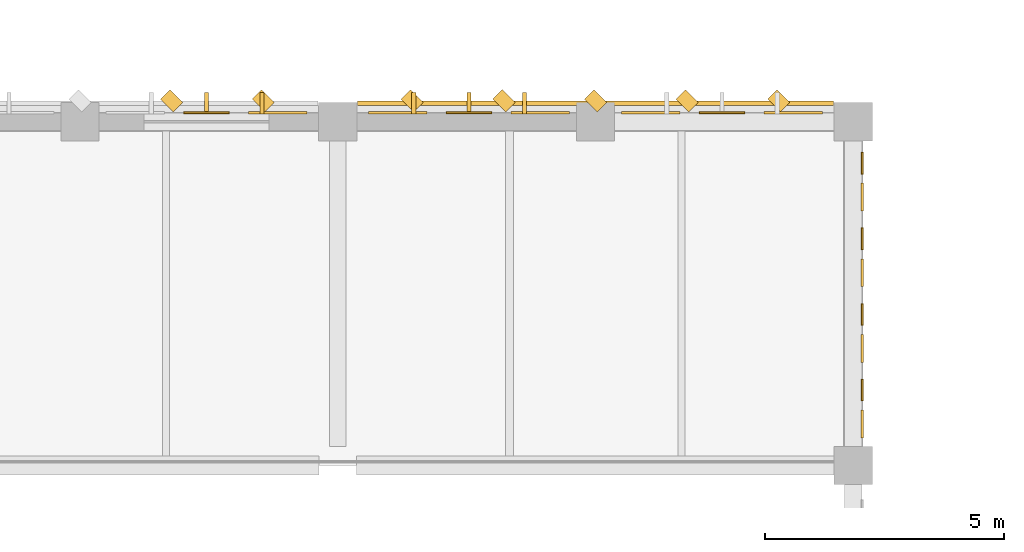
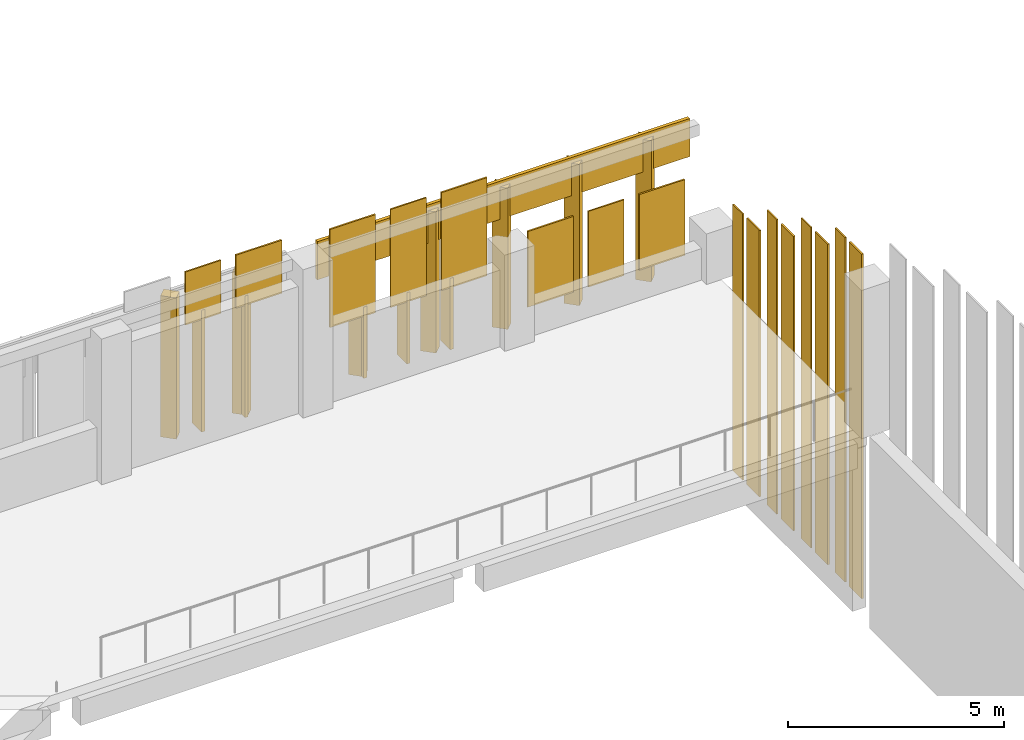
# One storey, part 147 of 158: 29 coverings.
"""IFC4 building model written with IfcOpenShell, lengths in metres."""

from ifc_helpers import new_model, si_unit, direction, frame, origin, origin_2d, place, context, subcontext, project, spatial, rectangle, extrude, material, layer, layer_set, type_object, element, save


model = new_model("IFC4")

# Units and contexts
model_context = context("Model", 3, precision=1e-05, world=origin(), true_north=direction((0.0, 1.0)))
body_context = subcontext(model_context, "Body", "Model", "MODEL_VIEW")
ifc_project = project(units=[si_unit("LENGTHUNIT", "METRE"), si_unit("AREAUNIT", "SQUARE_METRE"), si_unit("VOLUMEUNIT", "CUBIC_METRE"), si_unit("PLANEANGLEUNIT", "RADIAN"), si_unit("MASSUNIT", "GRAM", prefix="KILO")], contexts=[model_context])

# Site, building, storey
site_placement = place(None, origin())
site = spatial("IfcSite", under=ifc_project, at=site_placement, CompositionType="ELEMENT")
building_placement = place(site_placement, origin())
building = spatial("IfcBuilding", under=site, at=building_placement, Name="Lusvemor Sports Hall", CompositionType="ELEMENT")
storey_placement = place(building_placement, frame((0.0, 0.0, 10.800048828125)))
storey = spatial("IfcBuildingStorey", under=building, at=storey_placement, Name="L02", CompositionType="ELEMENT", Elevation=10.800048828125)

# Coverings
ifc_material_1 = material(Name="Emerald polychrome glazed ceramic cladding on Concrete C40/50 backing", Category="concrete")
ifc_layer_1 = layer(ifc_material_1, 0.0458984375)
ifc_layer_set_1 = layer_set([ifc_layer_1], Name="Emerald polychrome glazed ceramic cladding on Concrete C40/50 backing")
covering_type_1 = type_object("IfcCoveringType", Name="CLAD_WAVE_EMERALD", PredefinedType="CLADDING", material=ifc_layer_set_1)
covering_1_placement = place(storey_placement, frame((63.543212890625, 46.990478515625, 3.27685546875), z_axis=(0.0, 0.0, 1.0), x_axis=(1.0, 0.0, 0.0)))
element("IfcCovering", 1, at=covering_1_placement, inside=storey, type_object=covering_type_1, Name="Art Nouveau Patterned Cladding PS-WAVEN-5-2-3", PredefinedType="CLADDING", context=body_context, shape_type="SweptSolid", body=[
    extrude(rectangle(XDim=1.224609375, YDim=0.0458984375, at=origin_2d()), origin(), (0.0, 0.0, 1.0), 1.507080078125),
])
for number, where, z_axis, x_axis, name in (
    (2, (66.056640625, 46.990478515625, 1.85009765625), (0.0, 0.0, 1.0), (1.0, 0.0, 0.0), "Art Nouveau Patterned Cladding PS-WAVEN-6-1-1"),
    (3, (69.043212890625, 46.990478515625, 1.85009765625), (0.0, 0.0, 1.0), (1.0, 0.0, 0.0), "Art Nouveau Patterned Cladding PS-WAVEN-6-1-3"),
):
    element("IfcCovering", number, at=place(storey_placement, frame(where, z_axis=z_axis, x_axis=x_axis)), inside=storey, type_object=covering_type_1, Name=name, PredefinedType="CLADDING", context=body_context, shape_type="SweptSolid", body=[
        extrude(rectangle(XDim=1.224609375, YDim=0.0458984375, at=origin_2d()), origin(), (0.0, 0.0, 1.0), 2.77978515625),
    ])
for number, where, z_axis, x_axis, name in (
    (4, (71.356689453125, 46.990478515625, 0.57177734375), (0.0, 0.0, 1.0), (1.0, 0.0, 0.0), "Art Nouveau Patterned Cladding PS-WAVEN-6-2-1"),
    (5, (74.34326171875, 46.990478515625, 0.57177734375), (0.0, 0.0, 1.0), (1.0, 0.0, 0.0), "Art Nouveau Patterned Cladding PS-WAVEN-6-2-3"),
):
    element("IfcCovering", number, at=place(storey_placement, frame(where, z_axis=z_axis, x_axis=x_axis)), inside=storey, type_object=covering_type_1, Name=name, PredefinedType="CLADDING", context=body_context, shape_type="SweptSolid", body=[
        extrude(rectangle(XDim=1.224609375, YDim=0.0458984375, at=origin_2d()), origin(), (0.0, 0.0, 1.0), 2.14697265625),
    ])
covering_2_placement = place(storey_placement, frame((75.79052734375, 40.46630859375, -5.3203125), z_axis=(0.0, 0.0, 1.0), x_axis=(1.0, 0.0, 0.0)))
element("IfcCovering", 6, at=covering_2_placement, inside=storey, type_object=covering_type_1, Name="Art Nouveau Patterned Cladding PS-V1ETY-5-0-1", PredefinedType="CLADDING", context=body_context, shape_type="SweptSolid", body=[
    extrude(rectangle(XDim=0.0458984375, YDim=0.584228515625, at=origin_2d()), origin(), (0.0, 0.0, 1.0), 9.755615234375),
])
covering_3_placement = place(storey_placement, frame((75.79052734375, 42.05126953125, -5.31982421875), z_axis=(0.0, 0.0, 1.0), x_axis=(1.0, 0.0, 0.0)))
element("IfcCovering", 7, at=covering_3_placement, inside=storey, type_object=covering_type_1, Name="Art Nouveau Patterned Cladding PS-V1ETY-5-1-1", PredefinedType="CLADDING", context=body_context, shape_type="SweptSolid", body=[
    extrude(rectangle(XDim=0.0458984375, YDim=0.584228515625, at=origin_2d()), origin(), (0.0, 0.0, 1.0), 9.077392578125),
])
covering_4_placement = place(storey_placement, frame((75.79052734375, 43.63623046875, -5.320068359375), z_axis=(0.0, 0.0, 1.0), x_axis=(1.0, 0.0, 0.0)))
element("IfcCovering", 8, at=covering_4_placement, inside=storey, type_object=covering_type_1, Name="Art Nouveau Patterned Cladding PS-V1ETY-5-2-1", PredefinedType="CLADDING", context=body_context, shape_type="SweptSolid", body=[
    extrude(rectangle(XDim=0.0458984375, YDim=0.584228515625, at=origin_2d()), origin(), (0.0, 0.0, 1.0), 8.34033203125),
])
covering_5_placement = place(storey_placement, frame((75.79052734375, 45.22119140625, -5.31982421875), z_axis=(0.0, 0.0, 1.0), x_axis=(1.0, 0.0, 0.0)))
element("IfcCovering", 9, at=covering_5_placement, inside=storey, type_object=covering_type_1, Name="Art Nouveau Patterned Cladding PS-V1ETY-5-3-1", PredefinedType="CLADDING", context=body_context, shape_type="SweptSolid", body=[
    extrude(rectangle(XDim=0.0458984375, YDim=0.584228515625, at=origin_2d()), origin(), (0.0, 0.0, 1.0), 7.544189453125),
])
for number, where, z_axis, x_axis, name in (
    (10, (61.320068359375, 47.239990234375, 0.099853515625), (0.0, 0.0, 1.0), (0.707106781187, 0.707106781187, 0.0), "Patterned Diamond Cladding Rib 1548"),
    (11, (68.280029296875, 47.239990234375, 0.099853515625), (0.0, 0.0, 1.0), (0.707106781187, 0.707106781187, 0.0), "Patterned Diamond Cladding Rib 1564"),
    (12, (72.1201171875, 47.239990234375, 0.099853515625), (0.0, 0.0, 1.0), (0.707106781187, 0.707106781187, 0.0), "Patterned Diamond Cladding Rib 1566"),
):
    element("IfcCovering", number, at=place(storey_placement, frame(where, z_axis=z_axis, x_axis=x_axis)), inside=storey, type_object=covering_type_1, Name=name, PredefinedType="CLADDING", context=body_context, shape_type="SweptSolid", body=[
        extrude(rectangle(XDim=0.280029296875, YDim=0.3798828125, at=origin_2d()), origin(), (0.0, 0.0, 1.0), 4.0),
    ])
ifc_material_2 = material(Name="Warm terracotta Art Nouveau ceramic cladding on Concrete C40/50 backing", Category="masonry")
ifc_layer_2 = layer(ifc_material_2, 0.0380859375)
ifc_layer_set_2 = layer_set([ifc_layer_2], Name="Warm terracotta Art Nouveau ceramic cladding on Concrete C40/50 backing")
covering_type_2 = type_object("IfcCoveringType", Name="CLAD_WAVE_OCHRE", PredefinedType="CLADDING", material=ifc_layer_set_2)
covering_6_placement = place(storey_placement, frame((62.050048828125, 46.986572265625, 3.27685546875), z_axis=(0.0, 0.0, 1.0), x_axis=(1.0, 0.0, 0.0)))
element("IfcCovering", 13, at=covering_6_placement, inside=storey, type_object=covering_type_2, Name="Art Nouveau Patterned Cladding PS-WAVEN-5-2-2", PredefinedType="CLADDING", context=body_context, shape_type="SweptSolid", body=[
    extrude(rectangle(XDim=0.955810546875, YDim=0.0380859375, at=origin_2d()), origin(), (0.0, 0.0, 1.0), 1.507080078125),
])
covering_7_placement = place(storey_placement, frame((67.550048828125, 46.986572265625, 1.85009765625), z_axis=(0.0, 0.0, 1.0), x_axis=(1.0, 0.0, 0.0)))
element("IfcCovering", 14, at=covering_7_placement, inside=storey, type_object=covering_type_2, Name="Art Nouveau Patterned Cladding PS-WAVEN-6-1-2", PredefinedType="CLADDING", context=body_context, shape_type="SweptSolid", body=[
    extrude(rectangle(XDim=0.955810546875, YDim=0.0380859375, at=origin_2d()), origin(), (0.0, 0.0, 1.0), 2.77978515625),
])
covering_8_placement = place(storey_placement, frame((72.85009765625, 46.986572265625, 0.57177734375), z_axis=(0.0, 0.0, 1.0), x_axis=(1.0, 0.0, 0.0)))
element("IfcCovering", 15, at=covering_8_placement, inside=storey, type_object=covering_type_2, Name="Art Nouveau Patterned Cladding PS-WAVEN-6-2-2", PredefinedType="CLADDING", context=body_context, shape_type="SweptSolid", body=[
    extrude(rectangle(XDim=0.955810546875, YDim=0.0380859375, at=origin_2d()), origin(), (0.0, 0.0, 1.0), 2.14697265625),
])
covering_9_placement = place(storey_placement, frame((75.78662109375, 41.1787109375, -5.3203125), z_axis=(0.0, 0.0, 1.0), x_axis=(1.0, 0.0, 0.0)))
element("IfcCovering", 16, at=covering_9_placement, inside=storey, type_object=covering_type_2, Name="Art Nouveau Patterned Cladding PS-V1ETY-5-0-2", PredefinedType="CLADDING", context=body_context, shape_type="SweptSolid", body=[
    extrude(rectangle(XDim=0.0380859375, YDim=0.4560546875, at=origin_2d()), origin(), (0.0, 0.0, 1.0), 9.755615234375),
])
covering_10_placement = place(storey_placement, frame((75.78662109375, 42.763916015625, -5.31982421875), z_axis=(0.0, 0.0, 1.0), x_axis=(1.0, 0.0, 0.0)))
element("IfcCovering", 17, at=covering_10_placement, inside=storey, type_object=covering_type_2, Name="Art Nouveau Patterned Cladding PS-V1ETY-5-1-2", PredefinedType="CLADDING", context=body_context, shape_type="SweptSolid", body=[
    extrude(rectangle(XDim=0.0380859375, YDim=0.4560546875, at=origin_2d()), origin(), (0.0, 0.0, 1.0), 9.077392578125),
])
covering_11_placement = place(storey_placement, frame((75.78662109375, 44.3486328125, -5.320068359375), z_axis=(0.0, 0.0, 1.0), x_axis=(1.0, 0.0, 0.0)))
element("IfcCovering", 18, at=covering_11_placement, inside=storey, type_object=covering_type_2, Name="Art Nouveau Patterned Cladding PS-V1ETY-5-2-2", PredefinedType="CLADDING", context=body_context, shape_type="SweptSolid", body=[
    extrude(rectangle(XDim=0.0380859375, YDim=0.4560546875, at=origin_2d()), origin(), (0.0, 0.0, 1.0), 8.34033203125),
])
covering_12_placement = place(storey_placement, frame((75.78662109375, 45.93359375, -5.31982421875), z_axis=(0.0, 0.0, 1.0), x_axis=(1.0, 0.0, 0.0)))
element("IfcCovering", 19, at=covering_12_placement, inside=storey, type_object=covering_type_2, Name="Art Nouveau Patterned Cladding PS-V1ETY-5-3-2", PredefinedType="CLADDING", context=body_context, shape_type="SweptSolid", body=[
    extrude(rectangle(XDim=0.0380859375, YDim=0.4560546875, at=origin_2d()), origin(), (0.0, 0.0, 1.0), 7.544189453125),
])
covering_13_placement = place(storey_placement, frame((70.199951171875, 47.18994140625, 3.179931640625), z_axis=(0.0, 0.0, 1.0), x_axis=(1.0, 0.0, 0.0)))
element("IfcCovering", 20, at=covering_13_placement, inside=storey, type_object=covering_type_2, Name="Art Nouveau Spandrel Cornice 1562", PredefinedType="CLADDING", context=body_context, shape_type="SweptSolid", body=[
    extrude(rectangle(XDim=9.97998046875, YDim=0.090087890625, at=origin_2d()), origin(), (0.0, 0.0, 1.0), 1.080078125),
])
ifc_material_3 = material(Name="Warm terracotta Art Nouveau ceramic cladding on Concrete C40/50 backing", Category="masonry")
ifc_layer_3 = layer(ifc_material_3, 0.449951171875)
ifc_layer_set_3 = layer_set([ifc_layer_3], Name="Warm terracotta Art Nouveau ceramic cladding on Concrete C40/50 backing")
covering_type_3 = type_object("IfcCoveringType", Name="FIN_BRISE_CER_450", PredefinedType="MOLDING", material=ifc_layer_set_3)
for number, where, z_axis, x_axis, name in (
    (21, (62.050048828125, 47.18994140625, 0.10009765625), (0.0, 0.0, 1.0), (1.0, 0.0, 0.0), "Coastal Ceramic Brise-Soleil Fin N-5.2.2"),
    (22, (63.2099609375, 47.18994140625, 0.10009765625), (0.0, 0.0, 1.0), (1.0, 0.0, 0.0), "Coastal Ceramic Brise-Soleil Fin N-5.2.3"),
):
    element("IfcCovering", number, at=place(storey_placement, frame(where, z_axis=z_axis, x_axis=x_axis)), inside=storey, type_object=covering_type_3, Name=name, PredefinedType="MOLDING", context=body_context, shape_type="SweptSolid", body=[
        extrude(rectangle(XDim=0.090087890625, YDim=0.449951171875, at=origin_2d()), origin(), (0.0, 0.0, 1.0), 3.447021484375),
    ])
for number, where, z_axis, x_axis, name in (
    (23, (66.389892578125, 47.18994140625, 0.10009765625), (0.0, 0.0, 1.0), (1.0, 0.0, 0.0), "Coastal Ceramic Brise-Soleil Fin N-6.1.1"),
    (24, (67.550048828125, 47.18994140625, 0.10009765625), (0.0, 0.0, 1.0), (1.0, 0.0, 0.0), "Coastal Ceramic Brise-Soleil Fin N-6.1.2"),
    (25, (68.7099609375, 47.18994140625, 0.10009765625), (0.0, 0.0, 1.0), (1.0, 0.0, 0.0), "Coastal Ceramic Brise-Soleil Fin N-6.1.3"),
):
    element("IfcCovering", number, at=place(storey_placement, frame(where, z_axis=z_axis, x_axis=x_axis)), inside=storey, type_object=covering_type_3, Name=name, PredefinedType="MOLDING", context=body_context, shape_type="SweptSolid", body=[
        extrude(rectangle(XDim=0.090087890625, YDim=0.449951171875, at=origin_2d()), origin(), (0.0, 0.0, 1.0), 2.020263671875),
    ])
for number, where, z_axis, x_axis, name in (
    (26, (63.239990234375, 47.239990234375, 0.099853515625), (0.0, 0.0, 1.0), (0.707106781187, 0.707106781187, 0.0), "Patterned Diamond Cladding Rib 1549"),
    (27, (66.360107421875, 47.239990234375, 0.099853515625), (0.0, 0.0, 1.0), (0.707106781187, 0.707106781187, 0.0), "Patterned Diamond Cladding Rib 1563"),
    (28, (70.199951171875, 47.239990234375, 0.099853515625), (0.0, 0.0, 1.0), (0.707106781187, 0.707106781187, 0.0), "Patterned Diamond Cladding Rib 1565"),
    (29, (74.0400390625, 47.239990234375, 0.099853515625), (0.0, 0.0, 1.0), (0.707106781187, 0.707106781187, 0.0), "Patterned Diamond Cladding Rib 1567"),
):
    element("IfcCovering", number, at=place(storey_placement, frame(where, z_axis=z_axis, x_axis=x_axis)), inside=storey, type_object=covering_type_3, Name=name, PredefinedType="MOLDING", context=body_context, shape_type="SweptSolid", body=[
        extrude(rectangle(XDim=0.280029296875, YDim=0.3798828125, at=origin_2d()), origin(), (0.0, 0.0, 1.0), 4.0),
    ])

save(model, "model.ifc")
